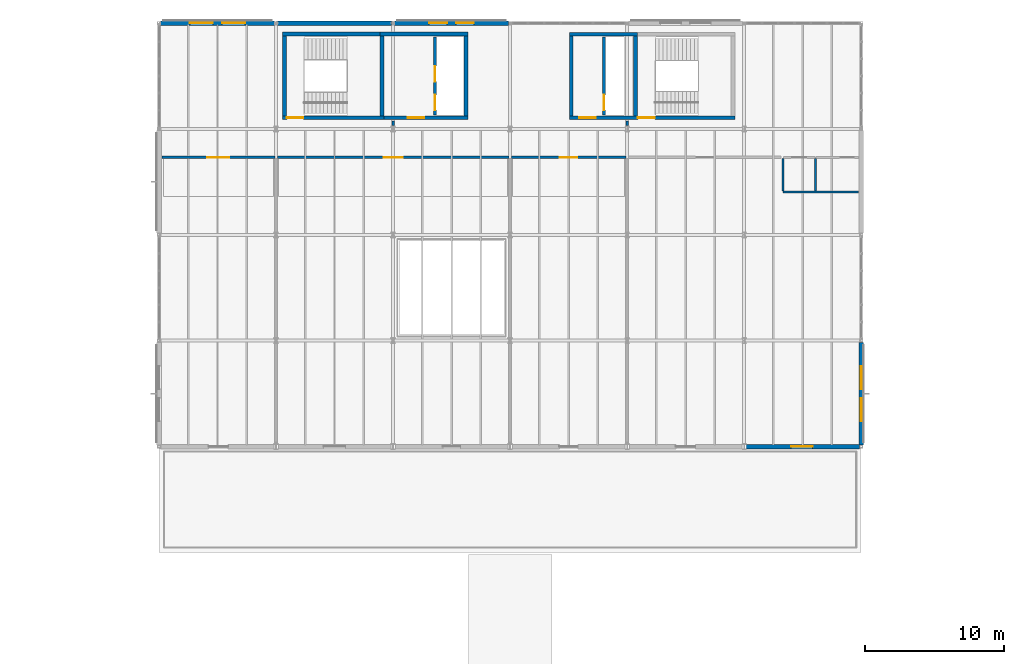
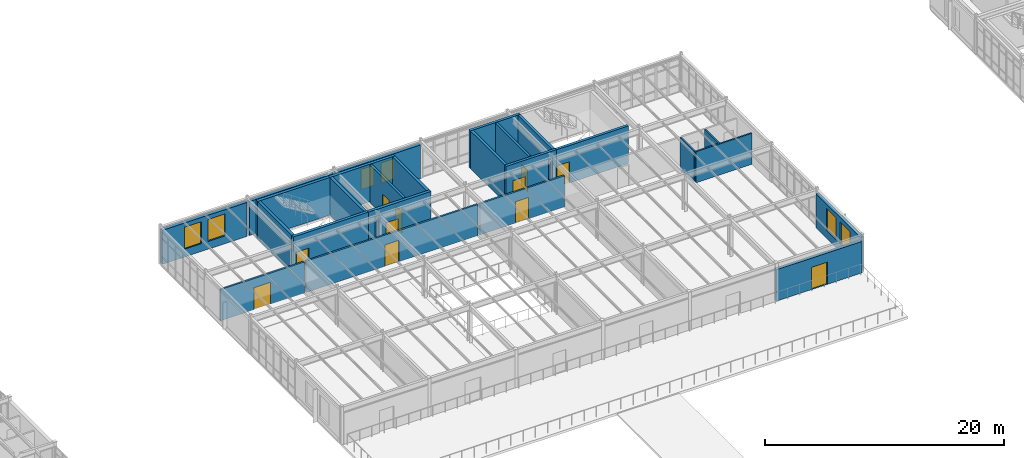
# One storey, part 92 of 114: 27 walls, 11 doors, 6 windows, 17 openings.
"""IFC4 building model written with IfcOpenShell, lengths in metres."""

import ifcopenshell
import ifcopenshell.guid

model = None  # the IFC model being written
_history = None  # IfcOwnerHistory: only IFC2X3 demands one
_inside = {}  # id of a spatial element -> (the spatial element, [elements in it])
_under = {}  # id of a project, library or spatial element -> (it, [spatial elements below it])
_declared = {}  # id of a project -> (the project, [libraries it declares])
_typed = {}  # id of a type object -> (the type object, [elements of that type])
_made_of = {}  # id of a material, layer set ... -> (it, [elements and type objects made of it])


def new_model(schema):
    """Start an empty IFC model of exactly this schema.

    Asked for "IFC4X3", IfcOpenShell would pick the latest addendum, in which some entities
    have other attributes; the version numbers below select the first issue.
    IFC2X3 requires an IfcOwnerHistory on every rooted entity: one is made here for all.
    """
    global model, _history
    if schema == "IFC4X3":
        model = ifcopenshell.file(schema_version=(4, 3, 0, 0))
    else:
        model = ifcopenshell.file(schema=schema)
    _inside.clear()
    _under.clear()
    _declared.clear()
    _typed.clear()
    _made_of.clear()
    _history = None
    if model.schema == "IFC2X3":
        org = make("IfcOrganization", Name="unknown")
        user = make(
            "IfcPersonAndOrganization",
            ThePerson=make("IfcPerson", FamilyName="unknown"),
            TheOrganization=org,
        )
        app = make(
            "IfcApplication",
            ApplicationDeveloper=org,
            Version="unknown",
            ApplicationFullName="unknown",
            ApplicationIdentifier="unknown",
        )
        _history = make(
            "IfcOwnerHistory",
            OwningUser=user,
            OwningApplication=app,
            ChangeAction="ADDED",
            CreationDate=0,
        )
    return model


def make(cls, **values):
    """One entity of the class cls with the attributes given. An attribute that is None is left unset."""
    return model.create_entity(
        cls, **{name: value for name, value in values.items() if value is not None}
    )


def rooted(cls, **values):
    """An entity with a GlobalId (a new one), such as an element, a storey or a relation."""
    return make(cls, GlobalId=ifcopenshell.guid.new(), OwnerHistory=_history, **values)


def si_unit(unit_type, name, prefix=None):
    """IfcSIUnit, for example si_unit("LENGTHUNIT", "METRE", prefix="MILLI")."""
    return make("IfcSIUnit", UnitType=unit_type, Prefix=prefix, Name=name)


def assignment(units):
    """IfcUnitAssignment: the units of a project."""
    return None if units is None else make("IfcUnitAssignment", Units=units)


def point(xyz):
    """IfcCartesianPoint."""
    return None if xyz is None else make("IfcCartesianPoint", Coordinates=xyz)


def direction(xyz):
    """IfcDirection."""
    return None if xyz is None else make("IfcDirection", DirectionRatios=xyz)


def frame(location, z_axis=None, x_axis=None):
    """IfcAxis2Placement3D, a coordinate frame: its origin and axes. An axis left out is left unset."""
    return make(
        "IfcAxis2Placement3D",
        Location=point(location),
        Axis=direction(z_axis),
        RefDirection=direction(x_axis),
    )


def frame_2d(location, x_axis=None):
    """IfcAxis2Placement2D, a coordinate frame in the plane: its origin and x axis."""
    return make(
        "IfcAxis2Placement2D", Location=point(location), RefDirection=direction(x_axis)
    )


def origin():
    """The frame at (0, 0, 0) with its axes left unset."""
    return frame((0.0, 0.0, 0.0))


def place(relative_to, where):
    """IfcLocalPlacement: puts the frame where relative to a parent placement (None: the world)."""
    return make(
        "IfcLocalPlacement", PlacementRelTo=relative_to, RelativePlacement=where
    )


def context(
    kind, dimensions, precision=None, world=None, true_north=None, identifier=None
):
    """IfcGeometricRepresentationContext, for example the 3D "Model" context."""
    return make(
        "IfcGeometricRepresentationContext",
        ContextIdentifier=identifier,
        ContextType=kind,
        CoordinateSpaceDimension=dimensions,
        Precision=precision,
        WorldCoordinateSystem=world,
        TrueNorth=true_north,
    )


def subcontext(parent, identifier, kind, view, scale=None):
    """IfcGeometricRepresentationSubContext, for example "Body" below "Model"."""
    return make(
        "IfcGeometricRepresentationSubContext",
        ContextIdentifier=identifier,
        ContextType=kind,
        ParentContext=parent,
        TargetScale=scale,
        TargetView=view,
    )


def project(units=None, contexts=None):
    """IfcProject with its units and contexts."""
    return rooted(
        "IfcProject",
        Name="project",
        RepresentationContexts=contexts,
        UnitsInContext=assignment(units),
    )


def spatial(cls, under=None, at=None, **own):
    """A site, building, storey or space (cls), placed at a placement, below another one or the project."""
    s = rooted(cls, ObjectPlacement=at, **own)
    if under is not None:
        _under.setdefault(under.id(), (under, []))[1].append(s)
    return s


def profile(cls, at=None, kind="AREA", **sizes):
    """A parametric profile (cls). Its sizes go by their IFC names, for example OverallWidth=200.0."""
    return make(cls, ProfileType=kind, Position=at, **sizes)


def rectangle(**sizes):
    """IfcRectangleProfileDef."""
    return profile("IfcRectangleProfileDef", **sizes)


def extrude(swept, where, along, depth):
    """IfcExtrudedAreaSolid: the profile swept, set in the frame where, extruded along a direction by depth."""
    return make(
        "IfcExtrudedAreaSolid",
        SweptArea=swept,
        Position=where,
        ExtrudedDirection=direction(along),
        Depth=depth,
    )


def shape(context_of_items, identifier, shape_type, items):
    """IfcShapeRepresentation: the items that make up one representation, for example the "Body"."""
    return make(
        "IfcShapeRepresentation",
        ContextOfItems=context_of_items,
        RepresentationIdentifier=identifier,
        RepresentationType=shape_type,
        Items=items,
    )


def material(Name=None, Category=None):
    """IfcMaterial."""
    return make("IfcMaterial", Name=Name, Category=Category)


def layer(
    of_material, thickness, ventilated=None, Name=None, Category=None, Priority=None
):
    """IfcMaterialLayer: one layer of a wall or slab, of a material (None: an air gap)."""
    return make(
        "IfcMaterialLayer",
        Material=of_material,
        LayerThickness=thickness,
        IsVentilated=ventilated,
        Name=Name,
        Category=Category,
        Priority=Priority,
    )


def layer_set(layers, Name=None):
    """IfcMaterialLayerSet."""
    return make("IfcMaterialLayerSet", MaterialLayers=layers, LayerSetName=Name)


def made_of(thing, what):
    """Note that an element or type object is made of a material, layer set ...; save() writes the relation."""
    if what is not None:
        _made_of.setdefault(what.id(), (what, []))[1].append(thing)
    return thing


def type_object(cls, material=None, **own):
    """A type object (cls), such as IfcWallType, which elements share."""
    return made_of(rooted(cls, **own), material)


def element(
    cls,
    number,
    at=None,
    inside=None,
    cuts=None,
    type_object=None,
    material=None,
    context=None,
    identifier="Body",
    shape_type=None,
    held_by="IfcProductDefinitionShape",
    body=None,
    shapes=None,
    **own,
):
    """One element of the class cls, such as IfcWall. Its Tag is "e" and its number.

    at: its placement. inside: the storey or other place that contains it. cuts: it is an
    opening in that element (IfcRelVoidsElement). A single representation is given by context,
    identifier, shape_type and body (its items); several are given by shapes. held_by: the class
    of the entity that holds the representations. save() writes the other relations.
    """
    e = rooted(cls, Tag="e%d" % number, ObjectPlacement=at, **own)
    if body is not None:
        shapes = [shape(context, identifier, shape_type, body)]
    if shapes is not None:
        e.Representation = make(held_by, Representations=shapes)
    if inside is not None:
        _inside.setdefault(inside.id(), (inside, []))[1].append(e)
    if cuts is not None:
        rooted(
            "IfcRelVoidsElement", RelatingBuildingElement=cuts, RelatedOpeningElement=e
        )
    if type_object is not None:
        _typed.setdefault(type_object.id(), (type_object, []))[1].append(e)
    return made_of(e, material)


def fill(opening, filler):
    """IfcRelFillsElement: the door or window that sits in an opening."""
    return rooted(
        "IfcRelFillsElement",
        RelatingOpeningElement=opening,
        RelatedBuildingElement=filler,
    )


def aggregate(whole, parts):
    """IfcRelAggregates: a whole, such as a stair, and the parts it consists of."""
    return rooted("IfcRelAggregates", RelatingObject=whole, RelatedObjects=parts)


def save(model, path):
    """Write the relations noted so far, then the file.

    IfcRelAggregates (storeys below a building ...), IfcRelContainedInSpatialStructure (elements
    in a storey), IfcRelDefinesByType, IfcRelAssociatesMaterial and IfcRelDeclares: one each for
    every whole, place, type object, material and project.
    """
    for whole, parts in _under.values():
        aggregate(whole, parts)
    for where, things in _inside.values():
        rooted(
            "IfcRelContainedInSpatialStructure",
            RelatedElements=things,
            RelatingStructure=where,
        )
    for kind, things in _typed.values():
        rooted("IfcRelDefinesByType", RelatedObjects=things, RelatingType=kind)
    for what, things in _made_of.values():
        rooted("IfcRelAssociatesMaterial", RelatedObjects=things, RelatingMaterial=what)
    for by, libraries in _declared.values():
        rooted("IfcRelDeclares", RelatingContext=by, RelatedDefinitions=libraries)
    model.write(path)


model = new_model("IFC4")

# Units and contexts
model_context = context("Model", 3, precision=1e-05, world=origin(), true_north=direction((0.0, 1.0)))
body_context = subcontext(model_context, "Body", "Model", "MODEL_VIEW")
ifc_project = project(units=[si_unit("LENGTHUNIT", "METRE"), si_unit("AREAUNIT", "SQUARE_METRE"), si_unit("VOLUMEUNIT", "CUBIC_METRE"), si_unit("PLANEANGLEUNIT", "RADIAN"), si_unit("MASSUNIT", "GRAM", prefix="KILO")], contexts=[model_context])

# Site, building, storey
site_placement = place(None, origin())
site = spatial("IfcSite", under=ifc_project, at=site_placement, CompositionType="ELEMENT")
building_placement = place(site_placement, origin())
building = spatial("IfcBuilding", under=site, at=building_placement, Name="Montecoro Central Library", CompositionType="ELEMENT")
storey_placement = place(building_placement, frame((0.0, 0.0, 13.260009765625)))
storey = spatial("IfcBuildingStorey", under=building, at=storey_placement, Name="L03", CompositionType="ELEMENT", Elevation=13.260009765625)

# Wall, opening, door
ifc_material_1 = material(Name="Roman travertine stone clad concrete C35/45", Category="masonry")
ifc_layer_1 = layer(ifc_material_1, 0.324951171875)
ifc_layer_set_1 = layer_set([ifc_layer_1], Name="Roman travertine stone clad concrete C35/45")
wall_type_1 = type_object("IfcWallType", Name="EW-TRV-325", PredefinedType="SOLIDWALL", material=ifc_layer_set_1)
wall_1_placement = place(storey_placement, frame((108.406005859375, 88.60009765625, 0.0), z_axis=(0.0, 0.0, 1.0), x_axis=(1.0, 0.0, 0.0)))
wall_1 = element("IfcWall", 1, at=wall_1_placement, inside=storey, type_object=wall_type_1, Name="V2-L03-EW-S5", PredefinedType="SOLIDWALL", context=body_context, shape_type="SweptSolid", body=[
    extrude(rectangle(XDim=8.281005859375, YDim=0.324951171875, at=frame_2d((4.140625, 0.0))), origin(), (0.0, 0.0, 1.0), 3.219970703125),
])
opening_1_placement = place(wall_1_placement, frame((3.365966796875, 0.0, 0.0)))
opening_1 = element("IfcOpeningElement", 2, at=opening_1_placement, cuts=wall_1, Name="Opening ED-08", PredefinedType="OPENING", context=body_context, shape_type="SweptSolid", body=[
    extrude(rectangle(XDim=1.550048828125, YDim=2.280029296875, at=frame_2d((0.77490234375, 1.14013671875))), frame((0.0, 0.17236328125, 0.0), z_axis=(0.0, -1.0, 0.0), x_axis=(1.0, 0.0, 0.0)), (0.0, 0.0, 1.0), 0.344970703125),
])
ifc_material_2 = material(Name="Thermally broken architectural bronze and safety glass", Category="glass")
door_type_1 = type_object("IfcDoorType", Name="ED-TER-155", OperationType="NOTDEFINED", PredefinedType="DOOR", material=ifc_material_2)
door_1_placement = place(opening_1_placement, origin())
door_1 = element("IfcDoor", 3, at=door_1_placement, inside=storey, type_object=door_type_1, Name="V2-L03-TD-S5", OperationType="SINGLE_SWING_LEFT", OverallHeight=2.280029296875, OverallWidth=1.550048828125, PredefinedType="DOOR", context=body_context, shape_type="SweptSolid", body=[
    extrude(rectangle(XDim=1.550048828125, YDim=2.280029296875, at=frame_2d((0.77490234375, 1.14013671875))), frame((0.0, 0.02490234375, 0.0), z_axis=(0.0, -1.0, 0.0), x_axis=(1.0, 0.0, 0.0)), (0.0, 0.0, 1.0), 0.050048828125),
])
fill(opening_1, door_1)

# Wall, openings, windows
wall_2_placement = place(storey_placement, frame((116.800048828125, 88.712890625, 0.0), z_axis=(0.0, 0.0, 1.0), x_axis=(0.0, 1.0, 0.0)))
wall_2 = element("IfcWall", 4, at=wall_2_placement, inside=storey, type_object=wall_type_1, Name="V2-L03-EW-E0", PredefinedType="SOLIDWALL", context=body_context, shape_type="SweptSolid", body=[
    extrude(rectangle(XDim=7.3740234375, YDim=0.324951171875, at=frame_2d((3.68701171875, 0.0))), origin(), (0.0, 0.0, 1.0), 3.47998046875),
])
opening_2_placement = place(wall_2_placement, frame((1.7119140625, 0.0, 0.800048828125)))
opening_2 = element("IfcOpeningElement", 5, at=opening_2_placement, cuts=wall_2, Name="Opening WN-09", PredefinedType="OPENING", context=body_context, shape_type="SweptSolid", body=[
    extrude(rectangle(XDim=1.64990234375, YDim=2.25, at=frame_2d((0.824951171875, 1.125))), frame((0.0, 0.17236328125, 0.0), z_axis=(0.0, -1.0, 0.0), x_axis=(1.0, 0.0, 0.0)), (0.0, 0.0, 1.0), 0.344970703125),
])
opening_3_placement = place(wall_2_placement, frame((4.011962890625, 0.0, 0.800048828125)))
opening_3 = element("IfcOpeningElement", 6, at=opening_3_placement, cuts=wall_2, Name="Opening WN-09", PredefinedType="OPENING", context=body_context, shape_type="SweptSolid", body=[
    extrude(rectangle(XDim=1.64990234375, YDim=2.25, at=frame_2d((0.824951171875, 1.125))), frame((0.0, 0.17236328125, 0.0), z_axis=(0.0, -1.0, 0.0), x_axis=(1.0, 0.0, 0.0)), (0.0, 0.0, 1.0), 0.344970703125),
])
ifc_material_3 = material(Name="Laminated low-E double glazing", Category="glass")
window_type_1 = type_object("IfcWindowType", Name="WN-RDG-165", PartitioningType="SINGLE_PANEL", PredefinedType="WINDOW", material=ifc_material_3)
window_1_placement = place(opening_2_placement, origin())
window_1 = element("IfcWindow", 7, at=window_1_placement, inside=storey, type_object=window_type_1, Name="V2-L03-WN-E0-1", OverallHeight=2.25, OverallWidth=1.64990234375, PartitioningType="SINGLE_PANEL", PredefinedType="WINDOW", context=body_context, shape_type="SweptSolid", body=[
    extrude(rectangle(XDim=1.64990234375, YDim=2.25, at=frame_2d((0.824951171875, 1.125))), frame((0.0, 0.030029296875, 0.0), z_axis=(0.0, -1.0, 0.0), x_axis=(1.0, 0.0, 0.0)), (0.0, 0.0, 1.0), 0.06005859375),
])
fill(opening_2, window_1)
window_2_placement = place(opening_3_placement, origin())
window_2 = element("IfcWindow", 8, at=window_2_placement, inside=storey, type_object=window_type_1, Name="V2-L03-WN-E0-2", OverallHeight=2.25, OverallWidth=1.64990234375, PartitioningType="SINGLE_PANEL", PredefinedType="WINDOW", context=body_context, shape_type="SweptSolid", body=[
    extrude(rectangle(XDim=1.64990234375, YDim=2.25, at=frame_2d((0.824951171875, 1.125))), frame((0.0, 0.030029296875, 0.0), z_axis=(0.0, -1.0, 0.0), x_axis=(1.0, 0.0, 0.0)), (0.0, 0.0, 1.0), 0.06005859375),
])
fill(opening_3, window_2)

wall_3_placement = place(storey_placement, frame((91.487060546875, 119.0, 0.0), z_axis=(0.0, 0.0, 1.0), x_axis=(-1.0, 0.0, 0.0)))
wall_3 = element("IfcWall", 9, at=wall_3_placement, inside=storey, type_object=wall_type_1, Name="V2-L03-EW-N2", PredefinedType="SOLIDWALL", context=body_context, shape_type="SweptSolid", body=[
    extrude(rectangle(XDim=8.174072265625, YDim=0.324951171875, at=frame_2d((4.0869140625, 0.0))), origin(), (0.0, 0.0, 1.0), 3.47998046875),
])
opening_4_placement = place(wall_3_placement, frame((2.48193359375, 0.0, 0.800048828125)))
opening_4 = element("IfcOpeningElement", 10, at=opening_4_placement, cuts=wall_3, Name="Opening WN-23", PredefinedType="OPENING", context=body_context, shape_type="SweptSolid", body=[
    extrude(rectangle(XDim=1.280029296875, YDim=2.080078125, at=frame_2d((0.64013671875, 1.0400390625))), frame((0.0, 0.17236328125, 0.0), z_axis=(0.0, -1.0, 0.0), x_axis=(1.0, 0.0, 0.0)), (0.0, 0.0, 1.0), 0.344970703125),
])
opening_5_placement = place(wall_3_placement, frame((4.412109375, 0.0, 0.800048828125)))
opening_5 = element("IfcOpeningElement", 11, at=opening_5_placement, cuts=wall_3, Name="Opening WN-23", PredefinedType="OPENING", context=body_context, shape_type="SweptSolid", body=[
    extrude(rectangle(XDim=1.280029296875, YDim=2.080078125, at=frame_2d((0.64013671875, 1.0400390625))), frame((0.0, 0.17236328125, 0.0), z_axis=(0.0, -1.0, 0.0), x_axis=(1.0, 0.0, 0.0)), (0.0, 0.0, 1.0), 0.344970703125),
])
window_type_2 = type_object("IfcWindowType", Name="WN-RDG-128", PartitioningType="SINGLE_PANEL", PredefinedType="WINDOW", material=ifc_material_3)
window_3_placement = place(opening_4_placement, origin())
window_3 = element("IfcWindow", 12, at=window_3_placement, inside=storey, type_object=window_type_2, Name="V2-L03-WN-N2-1", OverallHeight=2.080078125, OverallWidth=1.280029296875, PartitioningType="SINGLE_PANEL", PredefinedType="WINDOW", context=body_context, shape_type="SweptSolid", body=[
    extrude(rectangle(XDim=1.280029296875, YDim=2.080078125, at=frame_2d((0.64013671875, 1.0400390625))), frame((0.0, 0.030029296875, 0.0), z_axis=(0.0, -1.0, 0.0), x_axis=(1.0, 0.0, 0.0)), (0.0, 0.0, 1.0), 0.06005859375),
])
fill(opening_4, window_3)
window_4_placement = place(opening_5_placement, origin())
window_4 = element("IfcWindow", 13, at=window_4_placement, inside=storey, type_object=window_type_2, Name="V2-L03-WN-N2-2", OverallHeight=2.080078125, OverallWidth=1.280029296875, PartitioningType="SINGLE_PANEL", PredefinedType="WINDOW", context=body_context, shape_type="SweptSolid", body=[
    extrude(rectangle(XDim=1.280029296875, YDim=2.080078125, at=frame_2d((0.64013671875, 1.0400390625))), frame((0.0, 0.030029296875, 0.0), z_axis=(0.0, -1.0, 0.0), x_axis=(1.0, 0.0, 0.0)), (0.0, 0.0, 1.0), 0.06005859375),
])
fill(opening_5, window_4)

# Wall
wall_4_placement = place(storey_placement, frame((83.0869140625, 119.0, 0.0), z_axis=(0.0, 0.0, 1.0), x_axis=(-1.0, 0.0, 0.0)))
element("IfcWall", 14, at=wall_4_placement, inside=storey, type_object=wall_type_1, Name="V2-L03-EW-N1", PredefinedType="SOLIDWALL", context=body_context, shape_type="SweptSolid", body=[
    extrude(rectangle(XDim=8.173828125, YDim=0.324951171875, at=frame_2d((4.0869140625, 0.0))), origin(), (0.0, 0.0, 1.0), 3.47998046875),
])

# Wall, openings, windows
wall_5_placement = place(storey_placement, frame((74.68701171875, 119.0, 0.0), z_axis=(0.0, 0.0, 1.0), x_axis=(-1.0, 0.0, 0.0)))
wall_5 = element("IfcWall", 15, at=wall_5_placement, inside=storey, type_object=wall_type_1, Name="V2-L03-EW-N0", PredefinedType="SOLIDWALL", context=body_context, shape_type="SweptSolid", body=[
    extrude(rectangle(XDim=8.174072265625, YDim=0.324951171875, at=frame_2d((4.0869140625, 0.0))), origin(), (0.0, 0.0, 1.0), 3.47998046875),
])
opening_6_placement = place(wall_5_placement, frame((2.112060546875, 0.0, 0.800048828125)))
opening_6 = element("IfcOpeningElement", 16, at=opening_6_placement, cuts=wall_5, Name="Opening WN-09", PredefinedType="OPENING", context=body_context, shape_type="SweptSolid", body=[
    extrude(rectangle(XDim=1.64990234375, YDim=2.25, at=frame_2d((0.824951171875, 1.125))), frame((0.0, 0.17236328125, 0.0), z_axis=(0.0, -1.0, 0.0), x_axis=(1.0, 0.0, 0.0)), (0.0, 0.0, 1.0), 0.344970703125),
])
opening_7_placement = place(wall_5_placement, frame((4.412109375, 0.0, 0.800048828125)))
opening_7 = element("IfcOpeningElement", 17, at=opening_7_placement, cuts=wall_5, Name="Opening WN-09", PredefinedType="OPENING", context=body_context, shape_type="SweptSolid", body=[
    extrude(rectangle(XDim=1.64990234375, YDim=2.25, at=frame_2d((0.824951171875, 1.125))), frame((0.0, 0.17236328125, 0.0), z_axis=(0.0, -1.0, 0.0), x_axis=(1.0, 0.0, 0.0)), (0.0, 0.0, 1.0), 0.344970703125),
])
window_5_placement = place(opening_6_placement, origin())
window_5 = element("IfcWindow", 18, at=window_5_placement, inside=storey, type_object=window_type_1, Name="V2-L03-WN-N0-1", OverallHeight=2.25, OverallWidth=1.64990234375, PartitioningType="SINGLE_PANEL", PredefinedType="WINDOW", context=body_context, shape_type="SweptSolid", body=[
    extrude(rectangle(XDim=1.64990234375, YDim=2.25, at=frame_2d((0.824951171875, 1.125))), frame((0.0, 0.030029296875, 0.0), z_axis=(0.0, -1.0, 0.0), x_axis=(1.0, 0.0, 0.0)), (0.0, 0.0, 1.0), 0.06005859375),
])
fill(opening_6, window_5)
window_6_placement = place(opening_7_placement, origin())
window_6 = element("IfcWindow", 19, at=window_6_placement, inside=storey, type_object=window_type_1, Name="V2-L03-WN-N0-2", OverallHeight=2.25, OverallWidth=1.64990234375, PartitioningType="SINGLE_PANEL", PredefinedType="WINDOW", context=body_context, shape_type="SweptSolid", body=[
    extrude(rectangle(XDim=1.64990234375, YDim=2.25, at=frame_2d((0.824951171875, 1.125))), frame((0.0, 0.030029296875, 0.0), z_axis=(0.0, -1.0, 0.0), x_axis=(1.0, 0.0, 0.0)), (0.0, 0.0, 1.0), 0.06005859375),
])
fill(opening_7, window_6)

# Wall, opening, door
ifc_material_4 = material(Name="Gypsum fire-rated partition")
ifc_layer_2 = layer(ifc_material_4, 0.179931640625)
ifc_layer_set_2 = layer_set([ifc_layer_2], Name="Gypsum fire-rated partition")
wall_type_2 = type_object("IfcWallType", Name="IW-COR-180", PredefinedType="PARTITIONING", material=ifc_layer_set_2)
wall_6_placement = place(storey_placement, frame((66.60009765625, 109.35009765625, 0.0), z_axis=(0.0, 0.0, 1.0), x_axis=(1.0, 0.0, 0.0)))
wall_6 = element("IfcWall", 20, at=wall_6_placement, inside=storey, type_object=wall_type_2, Name="CORW-V2-L03-01", PredefinedType="PARTITIONING", context=body_context, shape_type="SweptSolid", body=[
    extrude(rectangle(XDim=8.10986328125, YDim=0.179931640625, at=frame_2d((4.054931640625, 0.0))), origin(), (0.0, 0.0, 1.0), 3.179931640625),
])
opening_8_placement = place(wall_6_placement, frame((3.2548828125, 0.0, 0.0)))
opening_8 = element("IfcOpeningElement", 21, at=opening_8_placement, cuts=wall_6, Name="Opening ID-06", PredefinedType="OPENING", context=body_context, shape_type="SweptSolid", body=[
    extrude(rectangle(XDim=1.60009765625, YDim=2.25, at=frame_2d((0.800048828125, 1.125))), frame((0.0, 0.099853515625, 0.0), z_axis=(0.0, -1.0, 0.0), x_axis=(1.0, 0.0, 0.0)), (0.0, 0.0, 1.0), 0.199951171875),
])
ifc_material_5 = material(Name="Solid oak and fire-rated steel door", Category="steel")
door_type_2 = type_object("IfcDoorType", Name="ID-COR-160", OperationType="NOTDEFINED", PredefinedType="DOOR", material=ifc_material_5)
door_2_placement = place(opening_8_placement, origin())
door_2 = element("IfcDoor", 22, at=door_2_placement, inside=storey, type_object=door_type_2, Name="DR-SP-V2-L03-R1P1", OperationType="DOUBLE_DOOR_SINGLE_SWING", OverallHeight=2.25, OverallWidth=1.60009765625, PredefinedType="DOOR", context=body_context, shape_type="SweptSolid", body=[
    extrude(rectangle(XDim=1.60009765625, YDim=2.25, at=frame_2d((0.800048828125, 1.125))), frame((0.0, 0.02490234375, 0.0), z_axis=(0.0, -1.0, 0.0), x_axis=(1.0, 0.0, 0.0)), (0.0, 0.0, 1.0), 0.050048828125),
])
fill(opening_8, door_2)

wall_7_placement = place(storey_placement, frame((74.889892578125, 109.35009765625, 0.0), z_axis=(0.0, 0.0, 1.0), x_axis=(1.0, 0.0, 0.0)))
wall_7 = element("IfcWall", 23, at=wall_7_placement, inside=storey, type_object=wall_type_2, Name="CORW-V2-L03-02", PredefinedType="PARTITIONING", context=body_context, shape_type="SweptSolid", body=[
    extrude(rectangle(XDim=16.6201171875, YDim=0.179931640625, at=frame_2d((8.31005859375, 0.0))), origin(), (0.0, 0.0, 1.0), 3.179931640625),
])
opening_9_placement = place(wall_7_placement, frame((7.6298828125, 0.0, 0.0)))
opening_9 = element("IfcOpeningElement", 24, at=opening_9_placement, cuts=wall_7, Name="Opening ID-05", PredefinedType="OPENING", context=body_context, shape_type="SweptSolid", body=[
    extrude(rectangle(XDim=1.360107421875, YDim=2.199951171875, at=frame_2d((0.68017578125, 1.10009765625))), frame((0.0, 0.099853515625, 0.0), z_axis=(0.0, -1.0, 0.0), x_axis=(1.0, 0.0, 0.0)), (0.0, 0.0, 1.0), 0.199951171875),
])
door_type_3 = type_object("IfcDoorType", Name="ID-VLT-136", OperationType="NOTDEFINED", PredefinedType="DOOR", material=ifc_material_5)
door_3_placement = place(opening_9_placement, origin())
door_3 = element("IfcDoor", 25, at=door_3_placement, inside=storey, type_object=door_type_3, Name="DR-SP-V2-L03-R2P1", OperationType="SINGLE_SWING_RIGHT", OverallHeight=2.199951171875, OverallWidth=1.360107421875, PredefinedType="DOOR", context=body_context, shape_type="SweptSolid", body=[
    extrude(rectangle(XDim=1.360107421875, YDim=2.199951171875, at=frame_2d((0.68017578125, 1.10009765625))), frame((0.0, 0.02490234375, 0.0), z_axis=(0.0, -1.0, 0.0), x_axis=(1.0, 0.0, 0.0)), (0.0, 0.0, 1.0), 0.050048828125),
])
fill(opening_9, door_3)

wall_8_placement = place(storey_placement, frame((91.68994140625, 109.35009765625, 0.0), z_axis=(0.0, 0.0, 1.0), x_axis=(1.0, 0.0, 0.0)))
wall_8 = element("IfcWall", 26, at=wall_8_placement, inside=storey, type_object=wall_type_2, Name="CORW-V2-L03-03", PredefinedType="PARTITIONING", context=body_context, shape_type="SweptSolid", body=[
    extrude(rectangle(XDim=8.219970703125, YDim=0.179931640625, at=frame_2d((4.10986328125, 0.0))), origin(), (0.0, 0.0, 1.0), 3.179931640625),
])
opening_10_placement = place(wall_8_placement, frame((3.47998046875, 0.0, 0.0)))
opening_10 = element("IfcOpeningElement", 27, at=opening_10_placement, cuts=wall_8, Name="Opening ID-09", PredefinedType="OPENING", context=body_context, shape_type="SweptSolid", body=[
    extrude(rectangle(XDim=1.260009765625, YDim=2.199951171875, at=frame_2d((0.6298828125, 1.10009765625))), frame((0.0, 0.099853515625, 0.0), z_axis=(0.0, -1.0, 0.0), x_axis=(1.0, 0.0, 0.0)), (0.0, 0.0, 1.0), 0.199951171875),
])
door_type_4 = type_object("IfcDoorType", Name="ID-RDG-126", OperationType="NOTDEFINED", PredefinedType="DOOR", material=ifc_material_5)
door_4_placement = place(opening_10_placement, origin())
door_4 = element("IfcDoor", 28, at=door_4_placement, inside=storey, type_object=door_type_4, Name="DR-SP-V2-L03-R3P1", OperationType="SINGLE_SWING_LEFT", OverallHeight=2.199951171875, OverallWidth=1.260009765625, PredefinedType="DOOR", context=body_context, shape_type="SweptSolid", body=[
    extrude(rectangle(XDim=1.260009765625, YDim=2.199951171875, at=frame_2d((0.6298828125, 1.10009765625))), frame((0.0, 0.02490234375, 0.0), z_axis=(0.0, -1.0, 0.0), x_axis=(1.0, 0.0, 0.0)), (0.0, 0.0, 1.0), 0.050048828125),
])
fill(opening_10, door_4)

# Walls
for number, where, z_axis, x_axis, name in (
    (29, (83.199951171875, 111.639892578125, 0.0), (0.0, 0.0, 1.0), (0.0, 1.0, 0.0), "PIL-V2-L03-1"),
    (30, (100.0, 111.639892578125, 0.0), (0.0, 0.0, 1.0), (0.0, 1.0, 0.0), "PIL-V2-L03-2"),
):
    element("IfcWall", number, at=place(storey_placement, frame(where, z_axis=z_axis, x_axis=x_axis)), inside=storey, type_object=wall_type_2, Name=name, PredefinedType="PARTITIONING", context=body_context, shape_type="SweptSolid", body=[
        extrude(rectangle(XDim=0.320068359375, YDim=0.179931640625, at=frame_2d((0.16015625, 0.0))), origin(), (0.0, 0.0, 1.0), 3.179931640625),
    ])

# Wall, openings, doors
ifc_material_6 = material(Name="Concrete C32/40", Category="concrete")
ifc_layer_3 = layer(ifc_material_6, 0.219970703125)
ifc_layer_set_3 = layer_set([ifc_layer_3], Name="Concrete C32/40")
wall_type_3 = type_object("IfcWallType", Name="IW-FFL-220", PredefinedType="SOLIDWALL", material=ifc_layer_set_3)
wall_9_placement = place(storey_placement, frame((86.199951171875, 112.39990234375, 0.0), z_axis=(0.0, 0.0, 1.0), x_axis=(0.0, 1.0, 0.0)))
wall_9 = element("IfcWall", 31, at=wall_9_placement, inside=storey, type_object=wall_type_3, Name="C2-L03-WLSH", PredefinedType="SOLIDWALL", context=body_context, shape_type="SweptSolid", body=[
    extrude(rectangle(XDim=5.60009765625, YDim=0.219970703125, at=frame_2d((2.800048828125, 0.0))), origin(), (0.0, 0.0, 1.0), 3.844970703125),
])
opening_11_placement = place(wall_9_placement, frame((0.35009765625, 0.0, 0.0)))
opening_11 = element("IfcOpeningElement", 32, at=opening_11_placement, cuts=wall_9, Name="Opening LD-01", PredefinedType="OPENING", context=body_context, shape_type="SweptSolid", body=[
    extrude(rectangle(XDim=1.10009765625, YDim=2.14990234375, at=frame_2d((0.550048828125, 1.074951171875))), frame((0.0, 0.119873046875, 0.0), z_axis=(0.0, -1.0, 0.0), x_axis=(1.0, 0.0, 0.0)), (0.0, 0.0, 1.0), 0.239990234375),
])
opening_12_placement = place(wall_9_placement, frame((2.39990234375, 0.0, 0.0)))
opening_12 = element("IfcOpeningElement", 33, at=opening_12_placement, cuts=wall_9, Name="Opening LD-01", PredefinedType="OPENING", context=body_context, shape_type="SweptSolid", body=[
    extrude(rectangle(XDim=1.10009765625, YDim=2.14990234375, at=frame_2d((0.550048828125, 1.074951171875))), frame((0.0, 0.119873046875, 0.0), z_axis=(0.0, -1.0, 0.0), x_axis=(1.0, 0.0, 0.0)), (0.0, 0.0, 1.0), 0.239990234375),
])
door_type_5 = type_object("IfcDoorType", Name="LD-LIFT-110", OperationType="NOTDEFINED", PredefinedType="DOOR", material=ifc_material_5)
door_5_placement = place(opening_11_placement, origin())
door_5 = element("IfcDoor", 34, at=door_5_placement, inside=storey, type_object=door_type_5, Name="C2-L03-LD-PL-02", OperationType="SLIDING_TO_LEFT", OverallHeight=2.14990234375, OverallWidth=1.10009765625, PredefinedType="DOOR", context=body_context, shape_type="SweptSolid", body=[
    extrude(rectangle(XDim=1.10009765625, YDim=2.14990234375, at=frame_2d((0.550048828125, 1.074951171875))), frame((0.0, 0.02490234375, 0.0), z_axis=(0.0, -1.0, 0.0), x_axis=(1.0, 0.0, 0.0)), (0.0, 0.0, 1.0), 0.050048828125),
])
fill(opening_11, door_5)
door_6_placement = place(opening_12_placement, origin())
door_6 = element("IfcDoor", 35, at=door_6_placement, inside=storey, type_object=door_type_5, Name="C2-L03-LD-FFL-01", OperationType="SLIDING_TO_LEFT", OverallHeight=2.14990234375, OverallWidth=1.10009765625, PredefinedType="DOOR", context=body_context, shape_type="SweptSolid", body=[
    extrude(rectangle(XDim=1.10009765625, YDim=2.14990234375, at=frame_2d((0.550048828125, 1.074951171875))), frame((0.0, 0.02490234375, 0.0), z_axis=(0.0, -1.0, 0.0), x_axis=(1.0, 0.0, 0.0)), (0.0, 0.0, 1.0), 0.050048828125),
])
fill(opening_12, door_6)

# Wall, opening, door
wall_10_placement = place(storey_placement, frame((98.35009765625, 112.39990234375, 0.0), z_axis=(0.0, 0.0, 1.0), x_axis=(0.0, 1.0, 0.0)))
wall_10 = element("IfcWall", 36, at=wall_10_placement, inside=storey, type_object=wall_type_3, Name="C3-L03-WLSH", PredefinedType="SOLIDWALL", context=body_context, shape_type="SweptSolid", body=[
    extrude(rectangle(XDim=5.60009765625, YDim=0.219970703125, at=frame_2d((2.800048828125, 0.0))), origin(), (0.0, 0.0, 1.0), 3.844970703125),
])
opening_13_placement = place(wall_10_placement, frame((0.35009765625, 0.0, 0.0)))
opening_13 = element("IfcOpeningElement", 37, at=opening_13_placement, cuts=wall_10, Name="Opening LD-01", PredefinedType="OPENING", context=body_context, shape_type="SweptSolid", body=[
    extrude(rectangle(XDim=1.10009765625, YDim=2.14990234375, at=frame_2d((0.550048828125, 1.074951171875))), frame((0.0, 0.119873046875, 0.0), z_axis=(0.0, -1.0, 0.0), x_axis=(1.0, 0.0, 0.0)), (0.0, 0.0, 1.0), 0.239990234375),
])
door_7_placement = place(opening_13_placement, origin())
door_7 = element("IfcDoor", 38, at=door_7_placement, inside=storey, type_object=door_type_5, Name="C3-L03-LD-PL-03", OperationType="SLIDING_TO_LEFT", OverallHeight=2.14990234375, OverallWidth=1.10009765625, PredefinedType="DOOR", context=body_context, shape_type="SweptSolid", body=[
    extrude(rectangle(XDim=1.10009765625, YDim=2.14990234375, at=frame_2d((0.550048828125, 1.074951171875))), frame((0.0, 0.02490234375, 0.0), z_axis=(0.0, -1.0, 0.0), x_axis=(1.0, 0.0, 0.0)), (0.0, 0.0, 1.0), 0.050048828125),
])
fill(opening_13, door_7)

ifc_material_7 = material(Name="Concrete C35/45", Category="concrete")
ifc_layer_4 = layer(ifc_material_7, 0.260009765625)
ifc_layer_set_4 = layer_set([ifc_layer_4], Name="Concrete C35/45")
wall_type_4 = type_object("IfcWallType", Name="IW-SHR-260", PredefinedType="SHEAR", material=ifc_layer_set_4)
wall_11_placement = place(storey_placement, frame((95.8701171875, 112.199951171875, 0.0), z_axis=(0.0, 0.0, 1.0), x_axis=(1.0, 0.0, 0.0)))
wall_11 = element("IfcWall", 39, at=wall_11_placement, inside=storey, type_object=wall_type_4, Name="C3-L03-LWS", PredefinedType="SHEAR", context=body_context, shape_type="SweptSolid", body=[
    extrude(rectangle(XDim=4.85986328125, YDim=0.260009765625, at=frame_2d((2.429931640625, 0.0))), origin(), (0.0, 0.0, 1.0), 3.844970703125),
])
opening_14_placement = place(wall_11_placement, frame((0.679931640625, 0.0, 0.0)))
opening_14 = element("IfcOpeningElement", 40, at=opening_14_placement, cuts=wall_11, Name="Opening ID-03", PredefinedType="OPENING", context=body_context, shape_type="SweptSolid", body=[
    extrude(rectangle(XDim=1.199951171875, YDim=2.159912109375, at=frame_2d((0.60009765625, 1.080078125))), frame((0.0, 0.139892578125, 0.0), z_axis=(0.0, -1.0, 0.0), x_axis=(1.0, 0.0, 0.0)), (0.0, 0.0, 1.0), 0.280029296875),
])
door_type_6 = type_object("IfcDoorType", Name="ID-FFL-120", OperationType="NOTDEFINED", PredefinedType="DOOR", material=ifc_material_5)
door_8_placement = place(opening_14_placement, origin())
door_8 = element("IfcDoor", 41, at=door_8_placement, inside=storey, type_object=door_type_6, Name="C3-L03-DLOB", OperationType="SINGLE_SWING_LEFT", OverallHeight=2.159912109375, OverallWidth=1.199951171875, PredefinedType="DOOR", context=body_context, shape_type="SweptSolid", body=[
    extrude(rectangle(XDim=1.199951171875, YDim=2.159912109375, at=frame_2d((0.60009765625, 1.080078125))), frame((0.0, 0.02490234375, 0.0), z_axis=(0.0, -1.0, 0.0), x_axis=(1.0, 0.0, 0.0)), (0.0, 0.0, 1.0), 0.050048828125),
])
fill(opening_14, door_8)

# Walls
wall_12_placement = place(storey_placement, frame((100.72998046875, 118.199951171875, 0.0), z_axis=(0.0, 0.0, 1.0), x_axis=(-1.0, 0.0, 0.0)))
element("IfcWall", 42, at=wall_12_placement, inside=storey, type_object=wall_type_4, Name="C3-L03-LWN", PredefinedType="SHEAR", context=body_context, shape_type="SweptSolid", body=[
    extrude(rectangle(XDim=4.85986328125, YDim=0.260009765625, at=frame_2d((2.429931640625, 0.0))), origin(), (0.0, 0.0, 1.0), 3.844970703125),
])
wall_13_placement = place(storey_placement, frame((96.0, 118.070068359375, 0.0), z_axis=(0.0, 0.0, 1.0), x_axis=(0.0, -1.0, 0.0)))
element("IfcWall", 43, at=wall_13_placement, inside=storey, type_object=wall_type_4, Name="C3-L03-LWW", PredefinedType="SHEAR", context=body_context, shape_type="SweptSolid", body=[
    extrude(rectangle(XDim=5.739990234375, YDim=0.260009765625, at=frame_2d((2.8701171875, 0.0))), origin(), (0.0, 0.0, 1.0), 3.844970703125),
])

# Wall, opening, door
wall_14_placement = place(storey_placement, frame((100.469970703125, 112.199951171875, 0.0), z_axis=(0.0, 0.0, 1.0), x_axis=(1.0, 0.0, 0.0)))
wall_14 = element("IfcWall", 44, at=wall_14_placement, inside=storey, type_object=wall_type_4, Name="C3-L03-WS", PredefinedType="SHEAR", context=body_context, shape_type="SweptSolid", body=[
    extrude(rectangle(XDim=7.260009765625, YDim=0.260009765625, at=frame_2d((3.6298828125, 0.0))), origin(), (0.0, 0.0, 1.0), 3.844970703125),
])
opening_15_placement = place(wall_14_placement, frame((0.31005859375, 0.0, 0.0)))
opening_15 = element("IfcOpeningElement", 45, at=opening_15_placement, cuts=wall_14, Name="Opening ID-01", PredefinedType="OPENING", context=body_context, shape_type="SweptSolid", body=[
    extrude(rectangle(XDim=1.219970703125, YDim=2.179931640625, at=frame_2d((0.60986328125, 1.08984375))), frame((0.0, 0.139892578125, 0.0), z_axis=(0.0, -1.0, 0.0), x_axis=(1.0, 0.0, 0.0)), (0.0, 0.0, 1.0), 0.280029296875),
])
door_type_7 = type_object("IfcDoorType", Name="ID-STR-140", OperationType="NOTDEFINED", PredefinedType="DOOR", material=ifc_material_5)
door_9_placement = place(opening_15_placement, origin())
door_9 = element("IfcDoor", 46, at=door_9_placement, inside=storey, type_object=door_type_7, Name="C3-L03-DSTR", OperationType="SINGLE_SWING_RIGHT", OverallHeight=2.179931640625, OverallWidth=1.219970703125, PredefinedType="DOOR", context=body_context, shape_type="SweptSolid", body=[
    extrude(rectangle(XDim=1.219970703125, YDim=2.179931640625, at=frame_2d((0.60986328125, 1.08984375))), frame((0.0, 0.02490234375, 0.0), z_axis=(0.0, -1.0, 0.0), x_axis=(1.0, 0.0, 0.0)), (0.0, 0.0, 1.0), 0.050048828125),
])
fill(opening_15, door_9)

# Wall
wall_15_placement = place(storey_placement, frame((100.60009765625, 112.330078125, 0.0), z_axis=(0.0, 0.0, 1.0), x_axis=(0.0, 1.0, 0.0)))
element("IfcWall", 47, at=wall_15_placement, inside=storey, type_object=wall_type_4, Name="C3-L03-WW", PredefinedType="SHEAR", context=body_context, shape_type="SweptSolid", body=[
    extrude(rectangle(XDim=5.739990234375, YDim=0.260009765625, at=frame_2d((2.8701171875, 0.0))), origin(), (0.0, 0.0, 1.0), 3.844970703125),
])

# Wall, opening, door
ifc_layer_5 = layer(ifc_material_7, 0.280029296875)
ifc_layer_set_5 = layer_set([ifc_layer_5], Name="Concrete C35/45")
wall_type_5 = type_object("IfcWallType", Name="IW-SHR-280", PredefinedType="SHEAR", material=ifc_layer_set_5)
wall_16_placement = place(storey_placement, frame((82.260009765625, 112.199951171875, 0.0), z_axis=(0.0, 0.0, 1.0), x_axis=(1.0, 0.0, 0.0)))
wall_16 = element("IfcWall", 48, at=wall_16_placement, inside=storey, type_object=wall_type_5, Name="C2-L03-LWS", PredefinedType="SHEAR", context=body_context, shape_type="SweptSolid", body=[
    extrude(rectangle(XDim=6.330078125, YDim=0.280029296875, at=frame_2d((3.1650390625, 0.0))), origin(), (0.0, 0.0, 1.0), 3.844970703125),
])
opening_16_placement = place(wall_16_placement, frame((1.989990234375, 0.0, 0.0)))
opening_16 = element("IfcOpeningElement", 49, at=opening_16_placement, cuts=wall_16, Name="Opening ID-03", PredefinedType="OPENING", context=body_context, shape_type="SweptSolid", body=[
    extrude(rectangle(XDim=1.199951171875, YDim=2.159912109375, at=frame_2d((0.60009765625, 1.080078125))), frame((0.0, 0.14990234375, 0.0), z_axis=(0.0, -1.0, 0.0), x_axis=(1.0, 0.0, 0.0)), (0.0, 0.0, 1.0), 0.300048828125),
])
door_10_placement = place(opening_16_placement, origin())
door_10 = element("IfcDoor", 50, at=door_10_placement, inside=storey, type_object=door_type_6, Name="C2-L03-DLOB", OperationType="SINGLE_SWING_LEFT", OverallHeight=2.159912109375, OverallWidth=1.199951171875, PredefinedType="DOOR", context=body_context, shape_type="SweptSolid", body=[
    extrude(rectangle(XDim=1.199951171875, YDim=2.159912109375, at=frame_2d((0.60009765625, 1.080078125))), frame((0.0, 0.02490234375, 0.0), z_axis=(0.0, -1.0, 0.0), x_axis=(1.0, 0.0, 0.0)), (0.0, 0.0, 1.0), 0.050048828125),
])
fill(opening_16, door_10)

# Walls
wall_17_placement = place(storey_placement, frame((88.590087890625, 118.199951171875, 0.0), z_axis=(0.0, 0.0, 1.0), x_axis=(-1.0, 0.0, 0.0)))
element("IfcWall", 51, at=wall_17_placement, inside=storey, type_object=wall_type_5, Name="C2-L03-LWN", PredefinedType="SHEAR", context=body_context, shape_type="SweptSolid", body=[
    extrude(rectangle(XDim=6.330078125, YDim=0.280029296875, at=frame_2d((3.1650390625, 0.0))), origin(), (0.0, 0.0, 1.0), 3.844970703125),
])
wall_18_placement = place(storey_placement, frame((88.449951171875, 112.340087890625, 0.0), z_axis=(0.0, 0.0, 1.0), x_axis=(0.0, 1.0, 0.0)))
element("IfcWall", 52, at=wall_18_placement, inside=storey, type_object=wall_type_5, Name="C2-L03-LWE", PredefinedType="SHEAR", context=body_context, shape_type="SweptSolid", body=[
    extrude(rectangle(XDim=5.719970703125, YDim=0.280029296875, at=frame_2d((2.85986328125, 0.0))), origin(), (0.0, 0.0, 1.0), 3.844970703125),
])

# Wall, opening, door
wall_19_placement = place(storey_placement, frame((75.260009765625, 112.199951171875, 0.0), z_axis=(0.0, 0.0, 1.0), x_axis=(1.0, 0.0, 0.0)))
wall_19 = element("IfcWall", 53, at=wall_19_placement, inside=storey, type_object=wall_type_5, Name="C2-L03-WS", PredefinedType="SHEAR", context=body_context, shape_type="SweptSolid", body=[
    extrude(rectangle(XDim=7.280029296875, YDim=0.280029296875, at=frame_2d((3.64013671875, 0.0))), origin(), (0.0, 0.0, 1.0), 3.844970703125),
])
opening_17_placement = place(wall_19_placement, frame((0.320068359375, 0.0, 0.0)))
opening_17 = element("IfcOpeningElement", 54, at=opening_17_placement, cuts=wall_19, Name="Opening ID-02", PredefinedType="OPENING", context=body_context, shape_type="SweptSolid", body=[
    extrude(rectangle(XDim=1.179931640625, YDim=2.179931640625, at=frame_2d((0.58984375, 1.08984375))), frame((0.0, 0.14990234375, 0.0), z_axis=(0.0, -1.0, 0.0), x_axis=(1.0, 0.0, 0.0)), (0.0, 0.0, 1.0), 0.300048828125),
])
door_type_8 = type_object("IfcDoorType", Name="ID-STR-135", OperationType="NOTDEFINED", PredefinedType="DOOR", material=ifc_material_5)
door_11_placement = place(opening_17_placement, origin())
door_11 = element("IfcDoor", 55, at=door_11_placement, inside=storey, type_object=door_type_8, Name="C2-L03-DSTR", OperationType="SINGLE_SWING_RIGHT", OverallHeight=2.179931640625, OverallWidth=1.179931640625, PredefinedType="DOOR", context=body_context, shape_type="SweptSolid", body=[
    extrude(rectangle(XDim=1.179931640625, YDim=2.179931640625, at=frame_2d((0.58984375, 1.08984375))), frame((0.0, 0.02490234375, 0.0), z_axis=(0.0, -1.0, 0.0), x_axis=(1.0, 0.0, 0.0)), (0.0, 0.0, 1.0), 0.050048828125),
])
fill(opening_17, door_11)

# Walls
wall_20_placement = place(storey_placement, frame((75.260009765625, 118.199951171875, 0.0), z_axis=(0.0, 0.0, 1.0), x_axis=(1.0, 0.0, 0.0)))
element("IfcWall", 56, at=wall_20_placement, inside=storey, type_object=wall_type_5, Name="C2-L03-WN", PredefinedType="SHEAR", context=body_context, shape_type="SweptSolid", body=[
    extrude(rectangle(XDim=7.280029296875, YDim=0.280029296875, at=frame_2d((3.64013671875, 0.0))), origin(), (0.0, 0.0, 1.0), 3.844970703125),
])
for number, where, z_axis, x_axis, name in (
    (57, (75.39990234375, 112.340087890625, 0.0), (0.0, 0.0, 1.0), (0.0, 1.0, 0.0), "C2-L03-WW"),
    (58, (82.39990234375, 112.340087890625, 0.0), (0.0, 0.0, 1.0), (0.0, 1.0, 0.0), "C2-L03-WE"),
):
    element("IfcWall", number, at=place(storey_placement, frame(where, z_axis=z_axis, x_axis=x_axis)), inside=storey, type_object=wall_type_5, Name=name, PredefinedType="SHEAR", context=body_context, shape_type="SweptSolid", body=[
        extrude(rectangle(XDim=5.719970703125, YDim=0.280029296875, at=frame_2d((2.85986328125, 0.0))), origin(), (0.0, 0.0, 1.0), 3.844970703125),
    ])
ifc_material_8 = material(Name="Moisture-resistant ceramic-tiled partition")
ifc_layer_6 = layer(ifc_material_8, 0.14990234375)
ifc_layer_set_6 = layer_set([ifc_layer_6], Name="Moisture-resistant ceramic-tiled partition")
wall_type_6 = type_object("IfcWallType", Name="IW-WET-150", PredefinedType="PARTITIONING", material=ifc_layer_set_6)
wall_21_placement = place(storey_placement, frame((111.179931640625, 106.8701171875, 0.0), z_axis=(0.0, 0.0, 1.0), x_axis=(1.0, 0.0, 0.0)))
element("IfcWall", 59, at=wall_21_placement, inside=storey, type_object=wall_type_6, Name="WC-V2-L03-WBK", PredefinedType="PARTITIONING", context=body_context, shape_type="SweptSolid", body=[
    extrude(rectangle(XDim=5.420166015625, YDim=0.14990234375, at=frame_2d((2.7099609375, 0.0))), origin(), (0.0, 0.0, 1.0), 3.179931640625),
])
for number, where, z_axis, x_axis, name in (
    (60, (111.179931640625, 106.929931640625, 0.0), (0.0, 0.0, 1.0), (0.0, 1.0, 0.0), "WC-V2-L03-WW"),
    (61, (113.530029296875, 106.929931640625, 0.0), (0.0, 0.0, 1.0), (0.0, 1.0, 0.0), "WC-V2-L03-WM"),
):
    element("IfcWall", number, at=place(storey_placement, frame(where, z_axis=z_axis, x_axis=x_axis)), inside=storey, type_object=wall_type_6, Name=name, PredefinedType="PARTITIONING", context=body_context, shape_type="SweptSolid", body=[
        extrude(rectangle(XDim=2.360107421875, YDim=0.14990234375, at=frame_2d((1.18017578125, 0.0))), origin(), (0.0, 0.0, 1.0), 3.179931640625),
    ])

save(model, "model.ifc")
